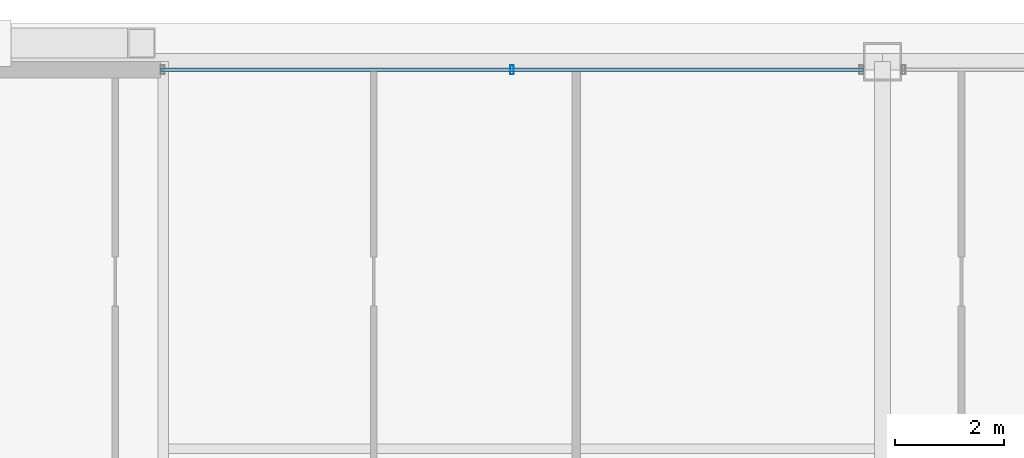
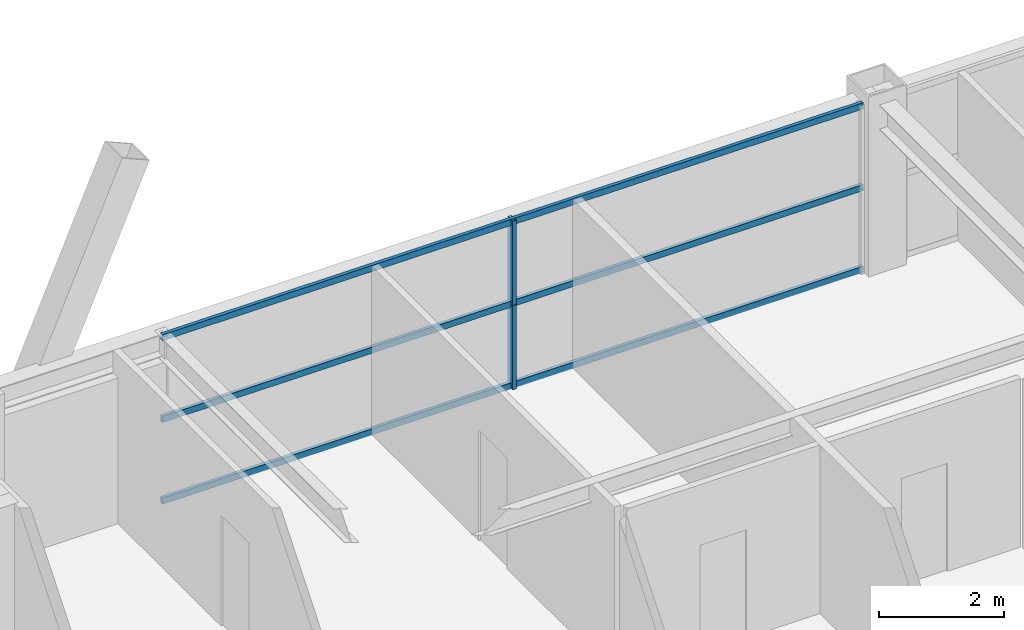
# One storey, part 24 of 35: 5 members, 1 element without a shape of its own.
"""IFC4 building model written with IfcOpenShell, lengths in metres."""

from ifc_helpers import new_model, si_unit, direction, frame, origin, origin_2d, place, context, subcontext, project, spatial, hollow_rectangle, extrude, source, transform, mapped, material, layer, layer_set, material_profile, profile_set, type_object, element, aggregate, save


model = new_model("IFC4")

# Units and contexts
model_context = context("Model", 3, precision=1e-05, world=origin(), true_north=direction((0.0, 1.0)))
body_context = subcontext(model_context, "Body", "Model", "MODEL_VIEW")
ifc_project = project(units=[si_unit("LENGTHUNIT", "METRE"), si_unit("AREAUNIT", "SQUARE_METRE"), si_unit("VOLUMEUNIT", "CUBIC_METRE"), si_unit("PLANEANGLEUNIT", "RADIAN"), si_unit("MASSUNIT", "GRAM", prefix="KILO"), si_unit("THERMODYNAMICTEMPERATUREUNIT", "KELVIN"), si_unit("POWERUNIT", "WATT")], contexts=[model_context])

# Site, building, storey
site_placement = place(None, origin())
site = spatial("IfcSite", under=ifc_project, at=site_placement, CompositionType="ELEMENT")
building_placement = place(site_placement, origin())
building = spatial("IfcBuilding", under=site, at=building_placement, Name="Yuzanri Waterfront Tower", CompositionType="ELEMENT")
storey_placement = place(building_placement, frame((0.0, 0.0, 248.60009765625)))
storey = spatial("IfcBuildingStorey", under=building, at=storey_placement, Name="L66", CompositionType="ELEMENT", Elevation=248.60009765625)

# Curtain wall, members
ifc_material_1 = material(Name="Anodized Architectural Bronze", Category="metal")
ifc_layer = layer(ifc_material_1, 0.159912109375)
ifc_layer_set = layer_set([ifc_layer], Name="Anodized Architectural Bronze")
curtain_wall_type = type_object("IfcCurtainWallType", Name="Anodized Bronze Mid-Rise Residential Acoustic Unitized Curtain Wall 7200", PredefinedType="NOTDEFINED", material=ifc_layer_set)
curtain_wall_placement = place(storey_placement, origin())
curtain_wall = element("IfcCurtainWall", 1, at=curtain_wall_placement, inside=storey, type_object=curtain_wall_type, Name="L66 Curtain Wall CW-L66-NL", PredefinedType="NOTDEFINED")
ifc_material_2 = material(Name="Anodized Architectural Bronze", Category="metal")
ifc_material_profile_1 = material_profile(ifc_material_2, hollow_rectangle(XDim=0.06494140625, YDim=0.159912109375, WallThickness=0.00341796875, at=origin_2d()), Name="CWM 65x160")
ifc_profile_set_1 = profile_set([ifc_material_profile_1], Name="Anodized Architectural Bronze")
member_type_1 = type_object("IfcMemberType", Name="Anodized Bronze Upper-Zone Curtain-Wall Mullion 65x160", PredefinedType="MULLION", material=ifc_profile_set_1)
shared_shape_1 = source(origin(), body_context, "Body", "SweptSolid", [
    extrude(hollow_rectangle(XDim=0.06494140625, YDim=0.159912109375, WallThickness=0.00341796875, at=origin_2d()), origin(), (0.0, 0.0, 1.0), 1.637939453125),
])
member_1_placement = place(storey_placement, frame((30.199951171875, 46.25, 0.0), z_axis=(0.0, 0.0, 1.0), x_axis=(1.0, 0.0, 0.0)))
member_1 = element("IfcMember", 2, at=member_1_placement, type_object=member_type_1, Name="CW-L66-NL Lower Mullion 01", PredefinedType="MULLION", context=body_context, shape_type="MappedRepresentation", body=[
    mapped(shared_shape_1, transform((0.0, 0.0, 0.0), scale=1.0)),
])
member_2_placement = place(storey_placement, frame((30.199951171875, 46.25, 1.641845703125), z_axis=(0.0, 0.0, 1.0), x_axis=(1.0, 0.0, 0.0)))
member_2 = element("IfcMember", 3, at=member_2_placement, type_object=member_type_1, Name="CW-L66-NL Upper Mullion 01", PredefinedType="MULLION", context=body_context, shape_type="MappedRepresentation", body=[
    mapped(shared_shape_1, transform((0.0, 0.0, 0.0), scale=1.0)),
])
ifc_material_3 = material(Name="Anodized Architectural Bronze", Category="metal")
ifc_material_profile_2 = material_profile(ifc_material_3, hollow_rectangle(XDim=0.06494140625, YDim=0.1201171875, WallThickness=0.00341796875, at=origin_2d()), Name="CWT 65x120")
ifc_profile_set_2 = profile_set([ifc_material_profile_2], Name="Anodized Architectural Bronze")
member_type_2 = type_object("IfcMemberType", Name="Anodized Bronze Secondary Curtain-Wall Transom 65x120", PredefinedType="USERDEFINED", material=ifc_profile_set_2)
shared_shape_2 = source(origin(), body_context, "Body", "SweptSolid", [
    extrude(hollow_rectangle(XDim=0.06494140625, YDim=0.1201171875, WallThickness=0.00341796875, at=origin_2d()), origin(), (0.0, 0.0, 1.0), 12.89990234375),
])
member_3_placement = place(storey_placement, frame((23.75, 46.25, 0.0498046875), z_axis=(1.0, 0.0, 0.0), x_axis=(0.0, 1.0, 0.0)))
member_3 = element("IfcMember", 4, at=member_3_placement, type_object=member_type_2, Name="CW-L66-NL Transom 1", ObjectType="TRANSOM", PredefinedType="USERDEFINED", context=body_context, shape_type="MappedRepresentation", body=[
    mapped(shared_shape_2, transform((0.0, 0.0, 0.0), scale=1.0)),
])
member_4_placement = place(storey_placement, frame((23.75, 46.25, 1.639892578125), z_axis=(1.0, 0.0, 0.0), x_axis=(0.0, 1.0, 0.0)))
member_4 = element("IfcMember", 5, at=member_4_placement, type_object=member_type_2, Name="CW-L66-NL Transom 2", ObjectType="TRANSOM", PredefinedType="USERDEFINED", context=body_context, shape_type="MappedRepresentation", body=[
    mapped(shared_shape_2, transform((0.0, 0.0, 0.0), scale=1.0)),
])
member_5_placement = place(storey_placement, frame((23.75, 46.25, 3.22998046875), z_axis=(1.0, 0.0, 0.0), x_axis=(0.0, 1.0, 0.0)))
member_5 = element("IfcMember", 6, at=member_5_placement, type_object=member_type_2, Name="CW-L66-NL Transom 3", ObjectType="TRANSOM", PredefinedType="USERDEFINED", context=body_context, shape_type="MappedRepresentation", body=[
    mapped(shared_shape_2, transform((0.0, 0.0, 0.0), scale=1.0)),
])
aggregate(curtain_wall, [member_1, member_2, member_3, member_4, member_5])

save(model, "model.ifc")
